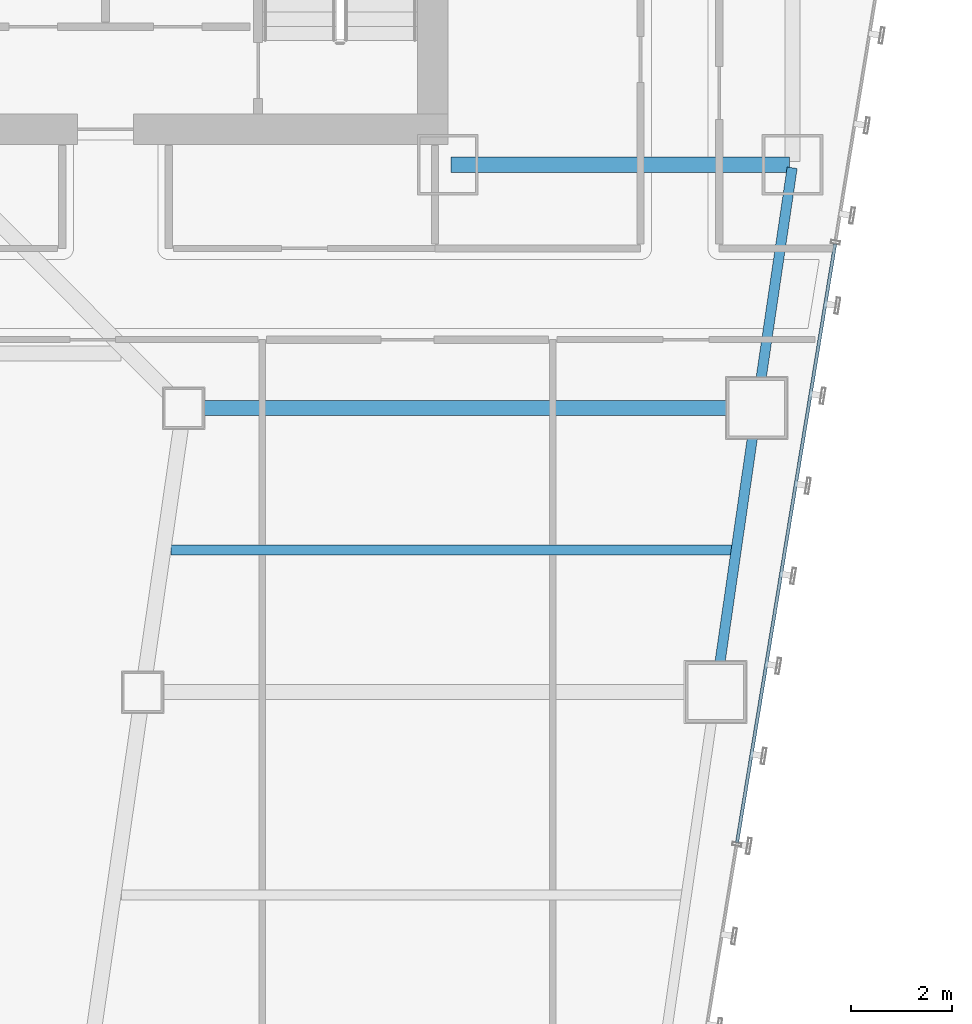
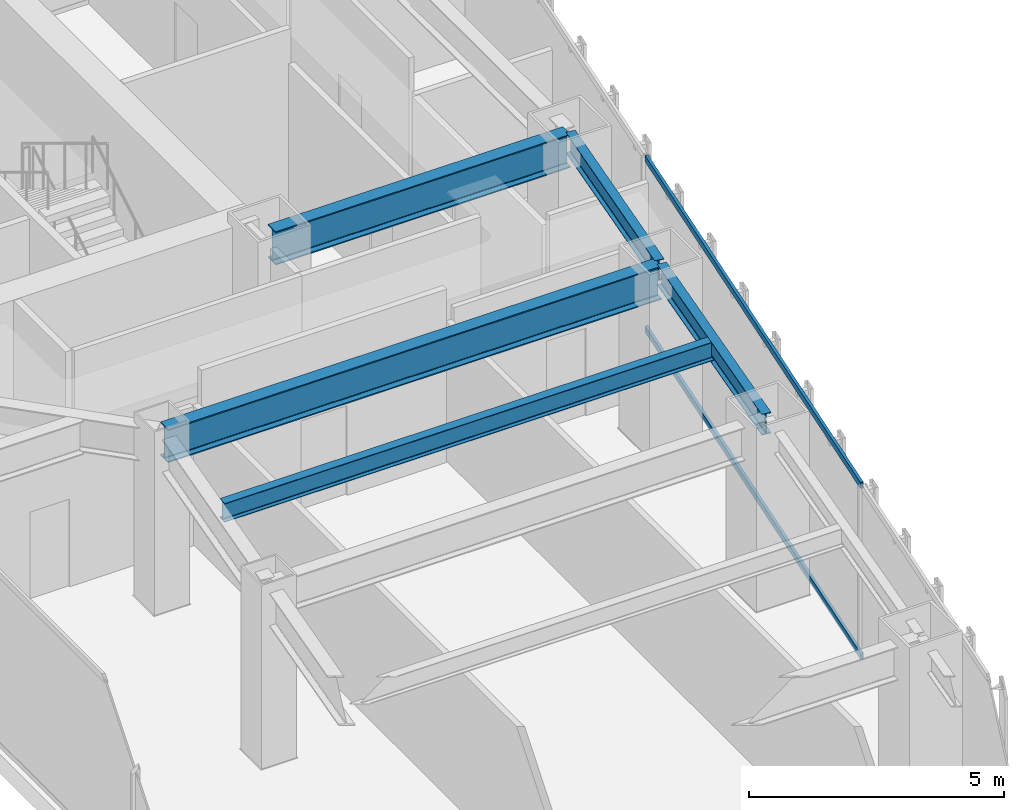
# One storey, part 30 of 49: 5 beams, 2 members, 1 element without a shape of its own.
"""IFC4 building model written with IfcOpenShell, lengths in metres."""

from ifc_helpers import new_model, si_unit, direction, frame, origin, origin_2d, place, context, subcontext, project, spatial, hollow_rectangle, i_section, extrude, material, material_profile, profile_set, type_object, element, aggregate, save


model = new_model("IFC4")

# Units and contexts
model_context = context("Model", 3, precision=1e-05, world=origin(), true_north=direction((0.0, 1.0)))
body_context = subcontext(model_context, "Body", "Model", "MODEL_VIEW")
ifc_project = project(units=[si_unit("LENGTHUNIT", "METRE"), si_unit("AREAUNIT", "SQUARE_METRE"), si_unit("VOLUMEUNIT", "CUBIC_METRE"), si_unit("PLANEANGLEUNIT", "RADIAN"), si_unit("MASSUNIT", "GRAM", prefix="KILO")], contexts=[model_context])

# Site, building, storey
site_placement = place(None, origin())
site = spatial("IfcSite", under=ifc_project, at=site_placement, CompositionType="ELEMENT")
building_placement = place(site_placement, origin())
building = spatial("IfcBuilding", under=site, at=building_placement, Name="Saevonmaru Cultural Tower", CompositionType="ELEMENT")
storey_placement = place(building_placement, frame((0.0, 0.0, 38.39990234375)))
storey = spatial("IfcBuildingStorey", under=building, at=storey_placement, Name="L07", CompositionType="ELEMENT", Elevation=38.39990234375)

# Beams
ifc_material_1 = material(Name="Steel SM420", Category="steel")
ifc_material_profile_1 = material_profile(ifc_material_1, i_section(OverallWidth=0.300048828125, OverallDepth=0.800048828125, WebThickness=0.013916015625, FlangeThickness=0.02587890625, FilletRadius=0.028076171875, at=origin_2d()), Name="H-800x300x14x26")
ifc_profile_set_1 = profile_set([ifc_material_profile_1], Name="Steel SM420")
beam_type_1 = type_object("IfcBeamType", Name="BM-G-H800", PredefinedType="BEAM", material=ifc_profile_set_1)
beam_1_placement = place(storey_placement, frame((46.4599609375, 42.39990234375, 3.75), z_axis=(1.0, 0.0, 0.0), x_axis=(0.0, 1.0, 0.0)))
element("IfcBeam", 1, at=beam_1_placement, inside=storey, type_object=beam_type_1, Name="L07 Core South Girder 5", PredefinedType="BEAM", context=body_context, shape_type="SweptSolid", body=[
    extrude(i_section(OverallWidth=0.300048828125, OverallDepth=0.800048828125, WebThickness=0.013916015625, FlangeThickness=0.02587890625, FilletRadius=0.028076171875, at=origin_2d()), origin(), (0.0, 0.0, 1.0), 6.679931640625),
])
beam_2_placement = place(storey_placement, frame((41.251953125, 37.60009765625, 3.75), z_axis=(1.0, 0.0, 0.0), x_axis=(0.0, 1.0, 0.0)))
element("IfcBeam", 2, at=beam_2_placement, inside=storey, type_object=beam_type_1, Name="L07 East Wing Transverse Girder 6", PredefinedType="BEAM", context=body_context, shape_type="SweptSolid", body=[
    extrude(i_section(OverallWidth=0.300048828125, OverallDepth=0.800048828125, WebThickness=0.013916015625, FlangeThickness=0.02587890625, FilletRadius=0.028076171875, at=origin_2d()), origin(), (0.0, 0.0, 1.0), 11.179931640625),
])
ifc_material_2 = material(Name="Steel SM355", Category="steel")
ifc_material_profile_2 = material_profile(ifc_material_2, i_section(OverallWidth=0.199951171875, OverallDepth=0.449951171875, WebThickness=0.009033203125, FlangeThickness=0.013916015625, FilletRadius=0.01806640625, at=origin_2d()), Name="H-450x200x9x14")
ifc_profile_set_2 = profile_set([ifc_material_profile_2], Name="Steel SM355")
beam_type_2 = type_object("IfcBeamType", Name="BM-J-H450", PredefinedType="JOIST", material=ifc_profile_set_2)
beam_3_placement = place(storey_placement, frame((40.945556640625, 34.800048828125, 3.925048828125), z_axis=(1.0, 0.0, 0.0), x_axis=(0.0, 1.0, 0.0)))
element("IfcBeam", 3, at=beam_3_placement, inside=storey, type_object=beam_type_2, Name="L07 East Wing Floor Joist 5", PredefinedType="JOIST", context=body_context, shape_type="SweptSolid", body=[
    extrude(i_section(OverallWidth=0.199951171875, OverallDepth=0.449951171875, WebThickness=0.009033203125, FlangeThickness=0.013916015625, FilletRadius=0.01806640625, at=origin_2d()), origin(), (0.0, 0.0, 1.0), 11.08203125),
])
ifc_material_profile_3 = material_profile(ifc_material_2, i_section(OverallWidth=0.199951171875, OverallDepth=0.5, WebThickness=0.010009765625, FlangeThickness=0.01611328125, FilletRadius=0.02001953125, at=origin_2d()), Name="H-500x200x10x16")
ifc_profile_set_3 = profile_set([ifc_material_profile_3], Name="Steel SM355")
beam_type_3 = type_object("IfcBeamType", Name="BM-SP-H500", PredefinedType="SPANDREL", material=ifc_profile_set_3)
beam_4_placement = place(storey_placement, frame((51.691650390625, 32.059326171875, 3.900146484375), z_axis=(0.142964121327, 0.989727871697, 0.0), x_axis=(-0.989727871697, 0.142964121327, 0.0)))
element("IfcBeam", 4, at=beam_4_placement, inside=storey, type_object=beam_type_3, Name="L07 East Splayed Spandrel 5", PredefinedType="SPANDREL", context=body_context, shape_type="SweptSolid", body=[
    extrude(i_section(OverallWidth=0.199951171875, OverallDepth=0.5, WebThickness=0.010009765625, FlangeThickness=0.01611328125, FilletRadius=0.02001953125, at=origin_2d()), origin(), (0.0, 0.0, 1.0), 5.5380859375),
])
beam_5_placement = place(storey_placement, frame((52.500732421875, 37.659423828125, 3.900146484375), z_axis=(0.145912860028, 0.989297446312, 0.0), x_axis=(-0.989297446312, 0.145912860028, 0.0)))
element("IfcBeam", 5, at=beam_5_placement, inside=storey, type_object=beam_type_3, Name="L07 East Splayed Spandrel 6", PredefinedType="SPANDREL", context=body_context, shape_type="SweptSolid", body=[
    extrude(i_section(OverallWidth=0.199951171875, OverallDepth=0.5, WebThickness=0.010009765625, FlangeThickness=0.01611328125, FilletRadius=0.02001953125, at=origin_2d()), origin(), (0.0, 0.0, 1.0), 4.731689453125),
])

# Curtain wall, members
ifc_material_3 = material(Name="Satin Bronze Anodised Aluminium", Category="aluminium")
curtain_wall_type = type_object("IfcCurtainWallType", Name="CW-TYP-A", PredefinedType="NOTDEFINED", material=ifc_material_3)
curtain_wall_placement = place(storey_placement, origin())
curtain_wall = element("IfcCurtainWall", 6, at=curtain_wall_placement, inside=storey, type_object=curtain_wall_type, Name="L07 Unitised Curtain Wall E8", PredefinedType="NOTDEFINED")
ifc_material_profile_4 = material_profile(ifc_material_3, hollow_rectangle(XDim=0.06494140625, YDim=0.14990234375, WallThickness=0.00390625, at=origin_2d()), Name="ALU-TRAN-150x65x4")
ifc_profile_set_4 = profile_set([ifc_material_profile_4], Name="Satin Bronze Anodised Aluminium")
member_type = type_object("IfcMemberType", Name="TR-CW-150x65", PredefinedType="USERDEFINED", material=ifc_profile_set_4)
member_1_placement = place(storey_placement, frame((52.105224609375, 29.031982421875, 0.03271484375), z_axis=(0.161701400727, 0.986839732177, 0.0), x_axis=(-0.986839732177, 0.161701400727, 0.0)))
member_1 = element("IfcMember", 7, at=member_1_placement, type_object=member_type, Name="CW-TW-L07-E8 transom 3.1", ObjectType="TRANSOM", PredefinedType="USERDEFINED", context=body_context, shape_type="SweptSolid", body=[
    extrude(hollow_rectangle(XDim=0.06494140625, YDim=0.14990234375, WallThickness=0.00390625, at=origin_2d()), origin(), (0.0, 0.0, 1.0), 11.9638671875),
])
member_2_placement = place(storey_placement, frame((52.105224609375, 29.031982421875, 4.11767578125), z_axis=(0.161701400727, 0.986839732177, 0.0), x_axis=(-0.986839732177, 0.161701400727, 0.0)))
member_2 = element("IfcMember", 8, at=member_2_placement, type_object=member_type, Name="CW-TW-L07-E8 transom 3.2", ObjectType="TRANSOM", PredefinedType="USERDEFINED", context=body_context, shape_type="SweptSolid", body=[
    extrude(hollow_rectangle(XDim=0.06494140625, YDim=0.14990234375, WallThickness=0.00390625, at=origin_2d()), origin(), (0.0, 0.0, 1.0), 11.9638671875),
])
aggregate(curtain_wall, [member_1, member_2])

save(model, "model.ifc")
